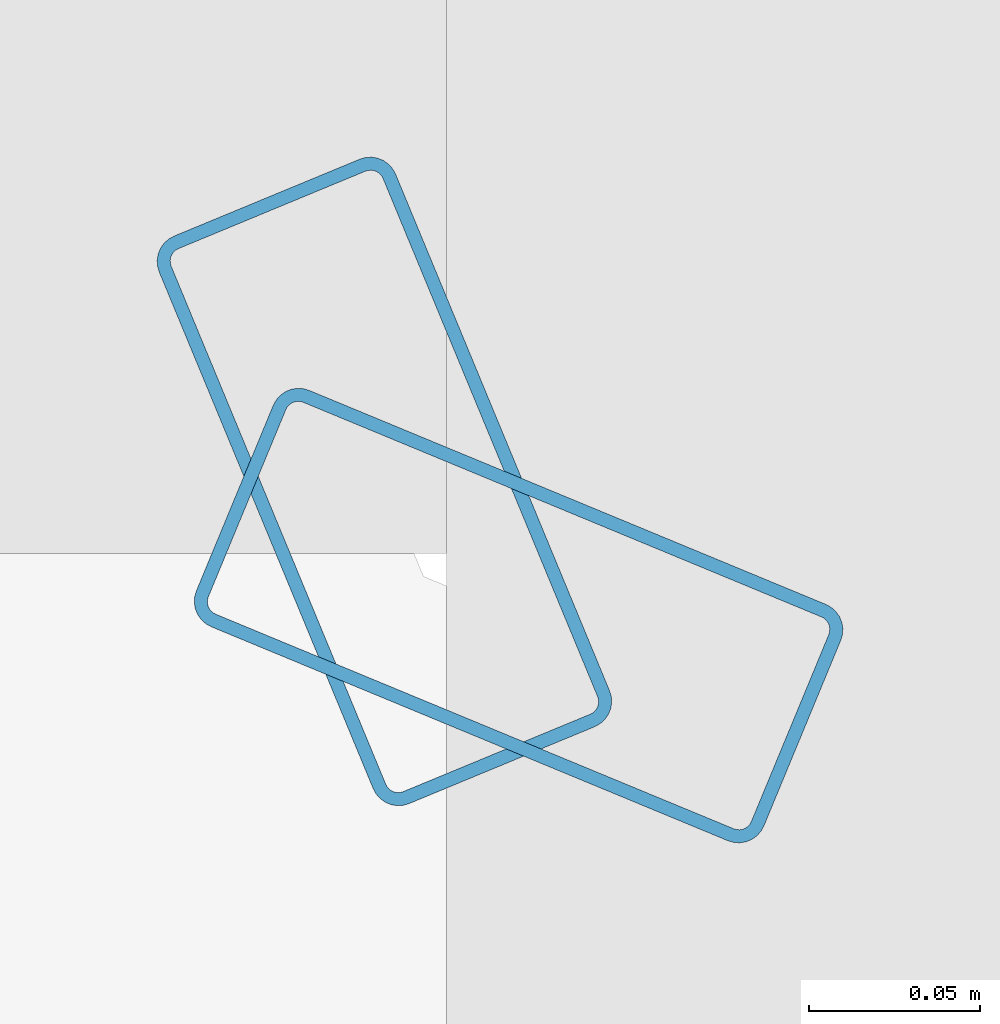
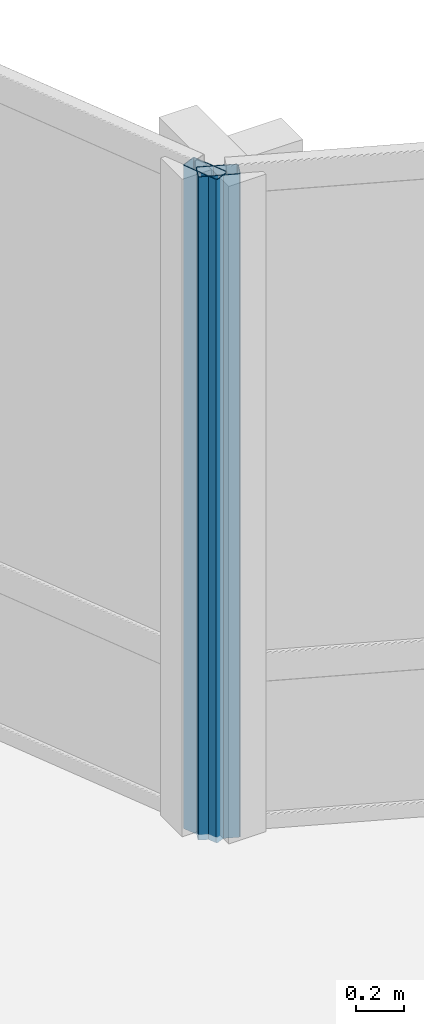
# One storey, part 8 of 34: 2 members, 2 elements without a shape of their own.
"""IFC4 building model written with IfcOpenShell, lengths in metres."""

from ifc_helpers import new_model, si_unit, direction, frame, origin, origin_2d, place, context, subcontext, project, spatial, hollow_rectangle, extrude, material, layer, layer_set, material_profile, profile_set, type_object, element, aggregate, save


model = new_model("IFC4")

# Units and contexts
model_context = context("Model", 3, precision=1e-05, world=origin(), true_north=direction((0.0, 1.0)))
body_context = subcontext(model_context, "Body", "Model", "MODEL_VIEW")
ifc_project = project(units=[si_unit("LENGTHUNIT", "METRE"), si_unit("AREAUNIT", "SQUARE_METRE"), si_unit("VOLUMEUNIT", "CUBIC_METRE"), si_unit("PLANEANGLEUNIT", "RADIAN"), si_unit("MASSUNIT", "GRAM", prefix="KILO")], contexts=[model_context])

# Site, building, storey
site_placement = place(None, origin())
site = spatial("IfcSite", under=ifc_project, at=site_placement, CompositionType="ELEMENT")
building_placement = place(site_placement, origin())
building = spatial("IfcBuilding", under=site, at=building_placement, Name="Solvaryn Broadcast Tower", CompositionType="ELEMENT")
storey_placement = place(building_placement, frame((0.0, 0.0, 96.5)))
storey = spatial("IfcBuildingStorey", under=building, at=storey_placement, Name="L23", CompositionType="ELEMENT", Elevation=96.5)

# Curtain wall, member
ifc_material_1 = material(Name="Aluminium and Terracotta Unitised Curtain Wall", Category="masonry")
ifc_layer = layer(ifc_material_1, 0.199951171875)
ifc_layer_set = layer_set([ifc_layer], Name="CW-SYS2-LOWMID")
curtain_wall_type = type_object("IfcCurtainWallType", Name="CW-SYS2-LOWMID", PredefinedType="NOTDEFINED", material=ifc_layer_set)
curtain_wall_1_placement = place(storey_placement, origin())
curtain_wall_1 = element("IfcCurtainWall", 1, at=curtain_wall_1_placement, inside=storey, type_object=curtain_wall_type, Name="L23 Curtain Wall CN1", PredefinedType="NOTDEFINED")
ifc_material_2 = material(Name="Anodised Aluminium 6063-T6", Category="aluminium")
ifc_material_profile = material_profile(ifc_material_2, hollow_rectangle(XDim=0.074951171875, YDim=0.179931640625, WallThickness=0.00390625, InnerFilletRadius=0.00390625, OuterFilletRadius=0.008056640625, at=origin_2d()))
ifc_profile_set = profile_set([ifc_material_profile], Name="Anodised Aluminium 6063-T6")
member_type = type_object("IfcMemberType", Name="CW-MUL-180", PredefinedType="MULLION", material=ifc_profile_set)
member_1_placement = place(storey_placement, frame((30.395751953125, 30.3564453125, 0.0), z_axis=(0.0, 0.0, 1.0), x_axis=(-0.382646127145, -0.923894983957, 0.0)))
member_1 = element("IfcMember", 2, at=member_1_placement, type_object=member_type, Name="CWS2 mullion 2", PredefinedType="MULLION", context=body_context, shape_type="SweptSolid", body=[
    extrude(hollow_rectangle(XDim=0.074951171875, YDim=0.179931640625, WallThickness=0.00390625, InnerFilletRadius=0.00390625, OuterFilletRadius=0.008056640625, at=origin_2d()), origin(), (0.0, 0.0, 1.0), 3.3701171875),
])
aggregate(curtain_wall_1, [member_1])

curtain_wall_2_placement = place(storey_placement, origin())
curtain_wall_2 = element("IfcCurtainWall", 3, at=curtain_wall_2_placement, inside=storey, type_object=curtain_wall_type, Name="L23 Curtain Wall CN2", PredefinedType="NOTDEFINED")
member_2_placement = place(storey_placement, frame((30.3564453125, 30.395751953125, 0.0), z_axis=(0.0, 0.0, 1.0), x_axis=(-0.923894983957, -0.382646127145, 0.0)))
member_2 = element("IfcMember", 4, at=member_2_placement, type_object=member_type, Name="CWS2 mullion 1", PredefinedType="MULLION", context=body_context, shape_type="SweptSolid", body=[
    extrude(hollow_rectangle(XDim=0.074951171875, YDim=0.179931640625, WallThickness=0.00390625, InnerFilletRadius=0.00390625, OuterFilletRadius=0.008056640625, at=origin_2d()), origin(), (0.0, 0.0, 1.0), 3.3701171875),
])
aggregate(curtain_wall_2, [member_2])

save(model, "model.ifc")
